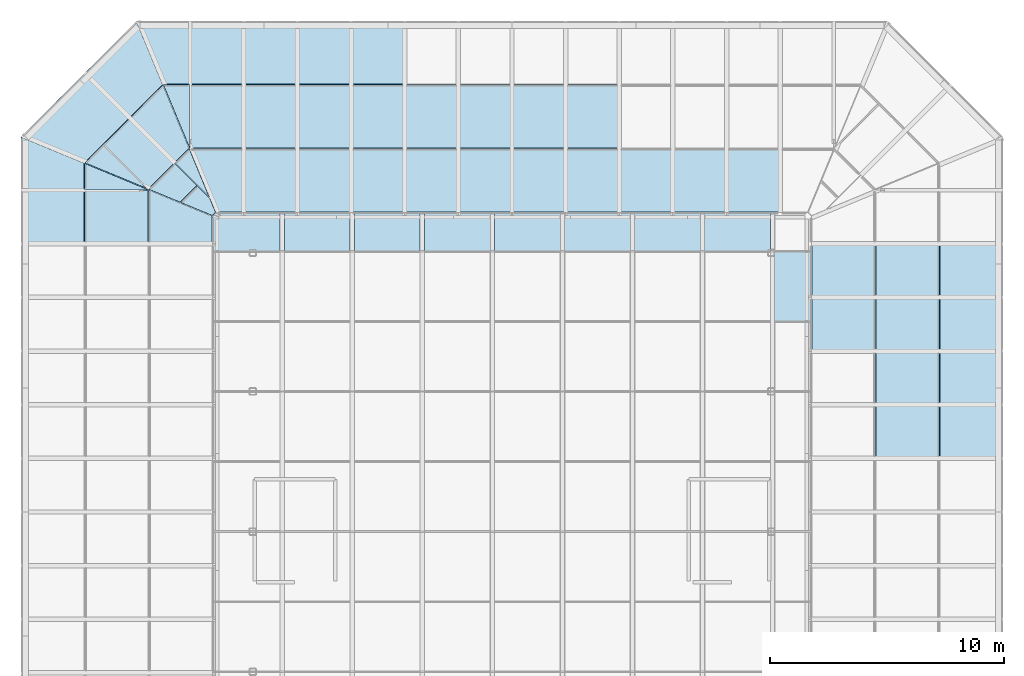
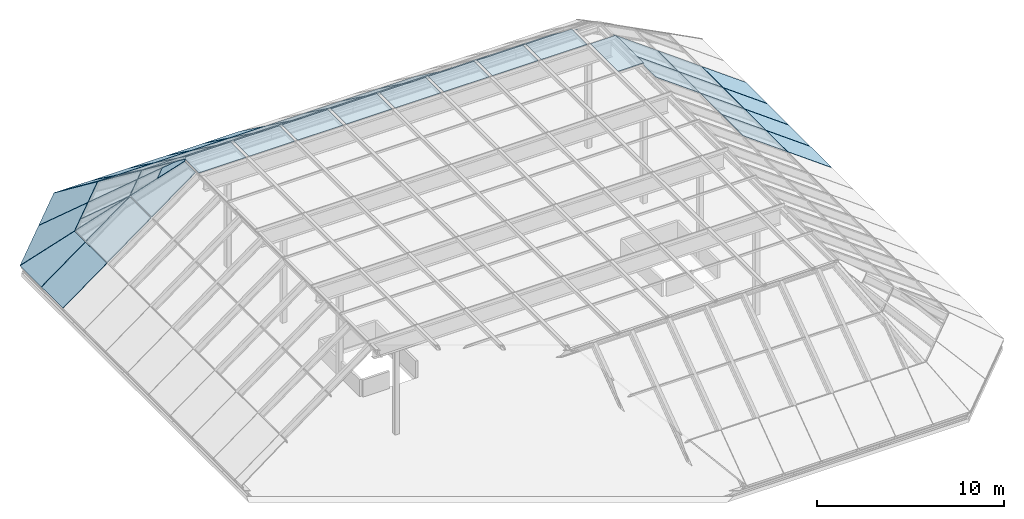
# One storey, part 14 of 15: 57 plates, 5 elements without a shape of their own.
"""IFC4 building model written with IfcOpenShell, lengths in metres."""

from ifc_helpers import new_model, si_unit, direction, frame, origin, place, context, subcontext, project, spatial, polyline, outline, extrude, material, layer, layer_set, constituent, constituent_set, type_object, element, aggregate, save


model = new_model("IFC4")

# Units and contexts
model_context = context("Model", 3, precision=1e-05, world=origin(), true_north=direction((0.0, 1.0)))
body_context = subcontext(model_context, "Body", "Model", "MODEL_VIEW")
ifc_project = project(units=[si_unit("LENGTHUNIT", "METRE"), si_unit("AREAUNIT", "SQUARE_METRE"), si_unit("VOLUMEUNIT", "CUBIC_METRE"), si_unit("PLANEANGLEUNIT", "RADIAN"), si_unit("MASSUNIT", "GRAM", prefix="KILO")], contexts=[model_context])

# Site, building, storey
site_placement = place(None, origin())
site = spatial("IfcSite", under=ifc_project, at=site_placement, CompositionType="ELEMENT")
building_placement = place(site_placement, origin())
building = spatial("IfcBuilding", under=site, at=building_placement, Name="Quoin Convention Tower", CompositionType="ELEMENT")
storey_placement = place(building_placement, frame((0.0, 0.0, 273.699951171875)))
storey = spatial("IfcBuildingStorey", under=building, at=storey_placement, Name="Roof", CompositionType="ELEMENT", Elevation=273.699951171875)

# Curtain wall, plates
ifc_material_1 = material(Name="Aluminium", Category="aluminium")
ifc_constituent_1 = constituent(ifc_material_1, Name="Frame")
ifc_material_2 = material(Name="Insulated glass", Category="glass")
ifc_constituent_2 = constituent(ifc_material_2, Name="Glazing")
ifc_constituent_set = constituent_set(constituents=[ifc_constituent_1, ifc_constituent_2], Name="Aluminium")
curtain_wall_type = type_object("IfcCurtainWallType", Name="Lantern roof system", PredefinedType="NOTDEFINED", material=ifc_constituent_set)
curtain_wall_1_placement = place(storey_placement, origin())
curtain_wall_1 = element("IfcCurtainWall", 1, at=curtain_wall_1_placement, inside=storey, type_object=curtain_wall_type, Name="crn-LNR-F77290_44673", PredefinedType="NOTDEFINED")
ifc_layer = layer(ifc_material_2, 0.028076171875)
ifc_layer_set = layer_set([ifc_layer], Name="Insulated glass")
plate_type = type_object("IfcPlateType", Name="Lantern roof glazing unit 28", PredefinedType="CURTAIN_PANEL", material=ifc_layer_set)
plate_1_placement = place(storey_placement, frame((74.56884765625, 63.061767578125, 2.466552734375), z_axis=(0.590508839017, 0.0, 0.807031171048), x_axis=(0.0, 1.0, 0.0)))
plate_1 = element("IfcPlate", 2, at=plate_1_placement, type_object=plate_type, Name="CW6 glazing unit", PredefinedType="CURTAIN_PANEL", context=body_context, shape_type="SweptSolid", body=[
    extrude(outline(polyline([(0.0, 0.0), (2.266845703125, 0.0), (2.266845703125, -3.3567283051575907), (0.0, -3.3567283051575907), (0.0, 0.0)])), origin(), (0.0, 0.0, -1.0), 0.028076171875),
])
plate_2_placement = place(storey_placement, frame((74.56884765625, 65.3583984375, 2.466552734375), z_axis=(0.590508839017, 0.0, 0.807031171048), x_axis=(0.0, 1.0, 0.0)))
plate_2 = element("IfcPlate", 3, at=plate_2_placement, type_object=plate_type, Name="CW6 glazing unit", PredefinedType="CURTAIN_PANEL", context=body_context, shape_type="SweptSolid", body=[
    extrude(outline(polyline([(0.0, 0.0), (2.266845703125, 0.0), (2.266845703125, -3.3567283051575907), (0.0, -3.3567283051575907), (0.0, 0.0)])), origin(), (0.0, 0.0, -1.0), 0.028076171875),
])
plate_3_placement = place(storey_placement, frame((74.56884765625, 67.6552734375, 2.466552734375), z_axis=(0.590508839017, 0.0, 0.807031171048), x_axis=(0.0, 1.0, 0.0)))
plate_3 = element("IfcPlate", 4, at=plate_3_placement, type_object=plate_type, Name="CW6 glazing unit", PredefinedType="CURTAIN_PANEL", context=body_context, shape_type="SweptSolid", body=[
    extrude(outline(polyline([(0.0, 0.0), (2.266845703125, 0.0), (2.266845703125, -3.3567283051575907), (0.0, -3.3567283051575907), (0.0, 0.0)])), origin(), (0.0, 0.0, -1.0), 0.028076171875),
])
plate_4_placement = place(storey_placement, frame((74.56884765625, 69.951904296875, 2.466552734375), z_axis=(0.590508839017, 0.0, 0.807031171048), x_axis=(0.0, 1.0, 0.0)))
plate_4 = element("IfcPlate", 5, at=plate_4_placement, type_object=plate_type, Name="CW6 glazing unit", PredefinedType="CURTAIN_PANEL", context=body_context, shape_type="SweptSolid", body=[
    extrude(outline(polyline([(0.0, 0.0), (2.266845703125, 0.0), (2.266845703125, -3.3567283051575907), (0.0, -3.3567283051575907), (0.0, 0.0)])), origin(), (0.0, 0.0, -1.0), 0.028076171875),
])
plate_5_placement = place(storey_placement, frame((74.544677734375, 63.061767578125, 2.484375), z_axis=(0.590474179548, 0.0, 0.807056530416), x_axis=(-0.807056530416, 0.0, 0.590474179548)))
plate_5 = element("IfcPlate", 6, at=plate_5_placement, type_object=plate_type, Name="CW6 glazing unit", PredefinedType="CURTAIN_PANEL", context=body_context, shape_type="SweptSolid", body=[
    extrude(outline(polyline([(0.0, 0.0), (3.356925337347801, 0.0), (3.356925337347801, -2.266845703125), (0.0, -2.266845703125), (0.0, 0.0)])), origin(), (0.0, 0.0, -1.0), 0.028076171875),
])
plate_6_placement = place(storey_placement, frame((74.544677734375, 65.3583984375, 2.484375), z_axis=(0.590474179548, 0.0, 0.807056530416), x_axis=(-0.807056530416, 0.0, 0.590474179548)))
plate_6 = element("IfcPlate", 7, at=plate_6_placement, type_object=plate_type, Name="CW6 glazing unit", PredefinedType="CURTAIN_PANEL", context=body_context, shape_type="SweptSolid", body=[
    extrude(outline(polyline([(0.0, 0.0), (3.356925337347801, 0.0), (3.356925337347801, -2.266845703125), (0.0, -2.266845703125), (0.0, 0.0)])), origin(), (0.0, 0.0, -1.0), 0.028076171875),
])
plate_7_placement = place(storey_placement, frame((74.544677734375, 67.6552734375, 2.484375), z_axis=(0.590474179548, 0.0, 0.807056530416), x_axis=(-0.807056530416, 0.0, 0.590474179548)))
plate_7 = element("IfcPlate", 8, at=plate_7_placement, type_object=plate_type, Name="CW6 glazing unit", PredefinedType="CURTAIN_PANEL", context=body_context, shape_type="SweptSolid", body=[
    extrude(outline(polyline([(0.0, 0.0), (3.356925337347801, 0.0), (3.356925337347801, -2.266845703125), (0.0, -2.266845703125), (0.0, 0.0)])), origin(), (0.0, 0.0, -1.0), 0.028076171875),
])
plate_8_placement = place(storey_placement, frame((74.544677734375, 69.951904296875, 2.484375), z_axis=(0.590474179548, 0.0, 0.807056530416), x_axis=(-0.807056530416, 0.0, 0.590474179548)))
plate_8 = element("IfcPlate", 9, at=plate_8_placement, type_object=plate_type, Name="CW6 glazing unit", PredefinedType="CURTAIN_PANEL", context=body_context, shape_type="SweptSolid", body=[
    extrude(outline(polyline([(0.0, 0.0), (3.356925337347801, 0.0), (3.356925337347801, -2.266845703125), (0.0, -2.266845703125), (0.0, 0.0)])), origin(), (0.0, 0.0, -1.0), 0.028076171875),
])
plate_9_placement = place(storey_placement, frame((71.811279296875, 69.922119140625, 4.484375), z_axis=(0.590474179548, 0.0, 0.807056530416), x_axis=(0.0, -1.0, 0.0)))
plate_9 = element("IfcPlate", 10, at=plate_9_placement, type_object=plate_type, Name="CW6 glazing unit", PredefinedType="CURTAIN_PANEL", context=body_context, shape_type="SweptSolid", body=[
    extrude(outline(polyline([(0.0, 0.0), (2.266845703125, 0.0), (2.266845703125, -3.356925337347801), (0.0, -3.356925337347801), (0.0, 0.0)])), origin(), (0.0, 0.0, -1.0), 0.028076171875),
])
plate_10_placement = place(storey_placement, frame((71.811279296875, 72.21875, 4.484375), z_axis=(0.590474179548, 0.0, 0.807056530416), x_axis=(0.0, -1.0, 0.0)))
plate_10 = element("IfcPlate", 11, at=plate_10_placement, type_object=plate_type, Name="CW6 glazing unit", PredefinedType="CURTAIN_PANEL", context=body_context, shape_type="SweptSolid", body=[
    extrude(outline(polyline([(0.0, 0.0), (2.266845703125, 0.0), (2.266845703125, -3.356925337347801), (0.0, -3.356925337347801), (0.0, 0.0)])), origin(), (0.0, 0.0, -1.0), 0.028076171875),
])
aggregate(curtain_wall_1, [plate_1, plate_2, plate_3, plate_4, plate_5, plate_6, plate_7, plate_8, plate_9, plate_10])

curtain_wall_2_placement = place(storey_placement, origin())
curtain_wall_2 = element("IfcCurtainWall", 12, at=curtain_wall_2_placement, inside=storey, type_object=curtain_wall_type, Name="crn-LNR-F72327_81790", PredefinedType="NOTDEFINED")
plate_11_placement = place(storey_placement, frame((51.6416015625, 79.06884765625, 2.466552734375), z_axis=(0.0, 0.590508839017, 0.807031171048), x_axis=(-1.0, 0.0, 0.0)))
plate_11 = element("IfcPlate", 13, at=plate_11_placement, type_object=plate_type, Name="CW6 glazing unit", PredefinedType="CURTAIN_PANEL", context=body_context, shape_type="SweptSolid", body=[
    extrude(outline(polyline([(0.0, 0.0), (2.266845703125, 0.0), (2.266845703125, -3.3567283051575907), (0.0, -3.3567283051575907), (0.0, 0.0)])), origin(), (0.0, 0.0, -1.0), 0.028076171875),
])
plate_12_placement = place(storey_placement, frame((49.3447265625, 79.06884765625, 2.466552734375), z_axis=(0.0, 0.590508839017, 0.807031171048), x_axis=(-1.0, 0.0, 0.0)))
plate_12 = element("IfcPlate", 14, at=plate_12_placement, type_object=plate_type, Name="CW6 glazing unit", PredefinedType="CURTAIN_PANEL", context=body_context, shape_type="SweptSolid", body=[
    extrude(outline(polyline([(0.0, 0.0), (2.266845703125, 0.0), (2.266845703125, -3.3567283051575907), (0.0, -3.3567283051575907), (0.0, 0.0)])), origin(), (0.0, 0.0, -1.0), 0.028076171875),
])
plate_13_placement = place(storey_placement, frame((47.048095703125, 79.06884765625, 2.466552734375), z_axis=(0.0, 0.590508839017, 0.807031171048), x_axis=(-1.0, 0.0, 0.0)))
plate_13 = element("IfcPlate", 15, at=plate_13_placement, type_object=plate_type, Name="CW6 glazing unit", PredefinedType="CURTAIN_PANEL", context=body_context, shape_type="SweptSolid", body=[
    extrude(outline(polyline([(0.0, 0.0), (2.266845703125, 0.0), (2.266845703125, -3.3567283051575907), (0.0, -3.3567283051575907), (0.0, 0.0)])), origin(), (0.0, 0.0, -1.0), 0.028076171875),
])
plate_14_placement = place(storey_placement, frame((44.751220703125, 79.06884765625, 2.466552734375), z_axis=(0.0, 0.590508839017, 0.807031171048), x_axis=(-1.0, 0.0, 0.0)))
plate_14 = element("IfcPlate", 16, at=plate_14_placement, type_object=plate_type, Name="CW6 glazing unit", PredefinedType="CURTAIN_PANEL", context=body_context, shape_type="SweptSolid", body=[
    extrude(outline(polyline([(0.0, 0.0), (2.2666015625, 0.0), (2.2666015625, -3.3567283051575902), (0.0, -3.3567283051575902), (0.0, 0.0)])), origin(), (0.0, 0.0, -1.0), 0.028076171875),
])
plate_15_placement = place(storey_placement, frame((42.45458984375, 79.06884765625, 2.466552734375), z_axis=(0.0, 0.590508839017, 0.807031171048), x_axis=(-1.0, 0.0, 0.0)))
plate_15 = element("IfcPlate", 17, at=plate_15_placement, type_object=plate_type, Name="CW6 glazing unit", PredefinedType="CURTAIN_PANEL", context=body_context, shape_type="SweptSolid", body=[
    extrude(outline(polyline([(0.0, 0.0), (1.138671875, 0.0), (2.260986328125, -3.3567283051575907), (0.0, -3.3567283051575907), (0.0, 0.0)])), origin(), (0.0, 0.0, -1.0), 0.028076171875),
])
plate_16_placement = place(storey_placement, frame((60.82861328125, 79.044677734375, 2.484375), z_axis=(0.0, 0.590474179548, 0.807056530416), x_axis=(0.0, -0.807056530416, 0.590474179548)))
plate_16 = element("IfcPlate", 18, at=plate_16_placement, type_object=plate_type, Name="CW6 glazing unit", PredefinedType="CURTAIN_PANEL", context=body_context, shape_type="SweptSolid", body=[
    extrude(outline(polyline([(0.0, 0.0), (3.356925337347801, 0.0), (3.356925337347801, -2.266845703125), (0.0, -2.266845703125), (0.0, 0.0)])), origin(), (0.0, 0.0, -1.0), 0.028076171875),
])
plate_17_placement = place(storey_placement, frame((58.53173828125, 79.044677734375, 2.484375), z_axis=(0.0, 0.590474179548, 0.807056530416), x_axis=(0.0, -0.807056530416, 0.590474179548)))
plate_17 = element("IfcPlate", 19, at=plate_17_placement, type_object=plate_type, Name="CW6 glazing unit", PredefinedType="CURTAIN_PANEL", context=body_context, shape_type="SweptSolid", body=[
    extrude(outline(polyline([(0.0, 0.0), (3.356925337347801, 0.0), (3.356925337347801, -2.266845703125), (0.0, -2.266845703125), (0.0, 0.0)])), origin(), (0.0, 0.0, -1.0), 0.028076171875),
])
plate_18_placement = place(storey_placement, frame((56.235107421875, 79.044677734375, 2.484375), z_axis=(0.0, 0.590474179548, 0.807056530416), x_axis=(0.0, -0.807056530416, 0.590474179548)))
plate_18 = element("IfcPlate", 20, at=plate_18_placement, type_object=plate_type, Name="CW6 glazing unit", PredefinedType="CURTAIN_PANEL", context=body_context, shape_type="SweptSolid", body=[
    extrude(outline(polyline([(0.0, 0.0), (3.356925337347801, 0.0), (3.356925337347801, -2.266845703125), (0.0, -2.266845703125), (0.0, 0.0)])), origin(), (0.0, 0.0, -1.0), 0.028076171875),
])
plate_19_placement = place(storey_placement, frame((53.938232421875, 79.044677734375, 2.484375), z_axis=(0.0, 0.590474179548, 0.807056530416), x_axis=(0.0, -0.807056530416, 0.590474179548)))
plate_19 = element("IfcPlate", 21, at=plate_19_placement, type_object=plate_type, Name="CW6 glazing unit", PredefinedType="CURTAIN_PANEL", context=body_context, shape_type="SweptSolid", body=[
    extrude(outline(polyline([(0.0, 0.0), (3.356925337347801, 0.0), (3.356925337347801, -2.266845703125), (0.0, -2.266845703125), (0.0, 0.0)])), origin(), (0.0, 0.0, -1.0), 0.028076171875),
])
plate_20_placement = place(storey_placement, frame((51.6416015625, 79.044677734375, 2.484375), z_axis=(0.0, 0.590474179548, 0.807056530416), x_axis=(0.0, -0.807056530416, 0.590474179548)))
plate_20 = element("IfcPlate", 22, at=plate_20_placement, type_object=plate_type, Name="CW6 glazing unit", PredefinedType="CURTAIN_PANEL", context=body_context, shape_type="SweptSolid", body=[
    extrude(outline(polyline([(0.0, 0.0), (3.356925337347801, 0.0), (3.356925337347801, -2.266845703125), (0.0, -2.266845703125), (0.0, 0.0)])), origin(), (0.0, 0.0, -1.0), 0.028076171875),
])
plate_21_placement = place(storey_placement, frame((49.3447265625, 79.044677734375, 2.484375), z_axis=(0.0, 0.590474179548, 0.807056530416), x_axis=(0.0, -0.807056530416, 0.590474179548)))
plate_21 = element("IfcPlate", 23, at=plate_21_placement, type_object=plate_type, Name="CW6 glazing unit", PredefinedType="CURTAIN_PANEL", context=body_context, shape_type="SweptSolid", body=[
    extrude(outline(polyline([(0.0, 0.0), (3.356925337347801, 0.0), (3.356925337347801, -2.266845703125), (0.0, -2.266845703125), (0.0, 0.0)])), origin(), (0.0, 0.0, -1.0), 0.028076171875),
])
plate_22_placement = place(storey_placement, frame((47.048095703125, 79.044677734375, 2.484375), z_axis=(0.0, 0.590474179548, 0.807056530416), x_axis=(0.0, -0.807056530416, 0.590474179548)))
plate_22 = element("IfcPlate", 24, at=plate_22_placement, type_object=plate_type, Name="CW6 glazing unit", PredefinedType="CURTAIN_PANEL", context=body_context, shape_type="SweptSolid", body=[
    extrude(outline(polyline([(0.0, 0.0), (3.356925337347801, 0.0), (3.356925337347801, -2.266845703125), (0.0, -2.266845703125), (0.0, 0.0)])), origin(), (0.0, 0.0, -1.0), 0.028076171875),
])
plate_23_placement = place(storey_placement, frame((44.751220703125, 79.044677734375, 2.484375), z_axis=(0.0, 0.590474179548, 0.807056530416), x_axis=(0.0, -0.807056530416, 0.590474179548)))
plate_23 = element("IfcPlate", 25, at=plate_23_placement, type_object=plate_type, Name="CW6 glazing unit", PredefinedType="CURTAIN_PANEL", context=body_context, shape_type="SweptSolid", body=[
    extrude(outline(polyline([(0.0, 0.0), (3.356925337347801, 0.0), (3.356925337347801, -2.2666015625), (0.0, -2.2666015625), (0.0, 0.0)])), origin(), (0.0, 0.0, -1.0), 0.028076171875),
])
plate_24_placement = place(storey_placement, frame((42.45458984375, 79.044677734375, 2.484375), z_axis=(0.0, 0.590474179548, 0.807056530416), x_axis=(0.0, -0.807056530416, 0.590474179548)))
plate_24 = element("IfcPlate", 26, at=plate_24_placement, type_object=plate_type, Name="CW6 glazing unit", PredefinedType="CURTAIN_PANEL", context=body_context, shape_type="SweptSolid", body=[
    extrude(outline(polyline([(0.0, 0.0), (3.356925337347801, 0.0), (3.356925337347801, -0.006591796875), (0.0, -1.12890625), (0.0, 0.0)])), origin(), (0.0, 0.0, -1.0), 0.028076171875),
])
plate_25_placement = place(storey_placement, frame((65.451904296875, 76.311279296875, 4.484375), z_axis=(0.0, 0.590474179548, 0.807056530416), x_axis=(1.0, 0.0, 0.0)))
plate_25 = element("IfcPlate", 27, at=plate_25_placement, type_object=plate_type, Name="CW6 glazing unit", PredefinedType="CURTAIN_PANEL", context=body_context, shape_type="SweptSolid", body=[
    extrude(outline(polyline([(0.0, 0.0), (2.266845703125, 0.0), (2.266845703125, -3.356925337347801), (0.0, -3.356925337347801), (0.0, 0.0)])), origin(), (0.0, 0.0, -1.0), 0.028076171875),
])
plate_26_placement = place(storey_placement, frame((63.1552734375, 76.311279296875, 4.484375), z_axis=(0.0, 0.590474179548, 0.807056530416), x_axis=(1.0, 0.0, 0.0)))
plate_26 = element("IfcPlate", 28, at=plate_26_placement, type_object=plate_type, Name="CW6 glazing unit", PredefinedType="CURTAIN_PANEL", context=body_context, shape_type="SweptSolid", body=[
    extrude(outline(polyline([(0.0, 0.0), (2.266845703125, 0.0), (2.266845703125, -3.356925337347801), (0.0, -3.356925337347801), (0.0, 0.0)])), origin(), (0.0, 0.0, -1.0), 0.028076171875),
])
plate_27_placement = place(storey_placement, frame((60.8583984375, 76.311279296875, 4.484375), z_axis=(0.0, 0.590474179548, 0.807056530416), x_axis=(1.0, 0.0, 0.0)))
plate_27 = element("IfcPlate", 29, at=plate_27_placement, type_object=plate_type, Name="CW6 glazing unit", PredefinedType="CURTAIN_PANEL", context=body_context, shape_type="SweptSolid", body=[
    extrude(outline(polyline([(0.0, 0.0), (2.266845703125, 0.0), (2.266845703125, -3.356925337347801), (0.0, -3.356925337347801), (0.0, 0.0)])), origin(), (0.0, 0.0, -1.0), 0.028076171875),
])
plate_28_placement = place(storey_placement, frame((58.561767578125, 76.311279296875, 4.484375), z_axis=(0.0, 0.590474179548, 0.807056530416), x_axis=(1.0, 0.0, 0.0)))
plate_28 = element("IfcPlate", 30, at=plate_28_placement, type_object=plate_type, Name="CW6 glazing unit", PredefinedType="CURTAIN_PANEL", context=body_context, shape_type="SweptSolid", body=[
    extrude(outline(polyline([(0.0, 0.0), (2.266845703125, 0.0), (2.266845703125, -3.356925337347801), (0.0, -3.356925337347801), (0.0, 0.0)])), origin(), (0.0, 0.0, -1.0), 0.028076171875),
])
plate_29_placement = place(storey_placement, frame((56.264892578125, 76.311279296875, 4.484375), z_axis=(0.0, 0.590474179548, 0.807056530416), x_axis=(1.0, 0.0, 0.0)))
plate_29 = element("IfcPlate", 31, at=plate_29_placement, type_object=plate_type, Name="CW6 glazing unit", PredefinedType="CURTAIN_PANEL", context=body_context, shape_type="SweptSolid", body=[
    extrude(outline(polyline([(0.0, 0.0), (2.266845703125, 0.0), (2.266845703125, -3.356925337347801), (0.0, -3.356925337347801), (0.0, 0.0)])), origin(), (0.0, 0.0, -1.0), 0.028076171875),
])
plate_30_placement = place(storey_placement, frame((53.96826171875, 76.311279296875, 4.484375), z_axis=(0.0, 0.590474179548, 0.807056530416), x_axis=(1.0, 0.0, 0.0)))
plate_30 = element("IfcPlate", 32, at=plate_30_placement, type_object=plate_type, Name="CW6 glazing unit", PredefinedType="CURTAIN_PANEL", context=body_context, shape_type="SweptSolid", body=[
    extrude(outline(polyline([(0.0, 0.0), (2.266845703125, 0.0), (2.266845703125, -3.356925337347801), (0.0, -3.356925337347801), (0.0, 0.0)])), origin(), (0.0, 0.0, -1.0), 0.028076171875),
])
plate_31_placement = place(storey_placement, frame((51.67138671875, 76.311279296875, 4.484375), z_axis=(0.0, 0.590474179548, 0.807056530416), x_axis=(1.0, 0.0, 0.0)))
plate_31 = element("IfcPlate", 33, at=plate_31_placement, type_object=plate_type, Name="CW6 glazing unit", PredefinedType="CURTAIN_PANEL", context=body_context, shape_type="SweptSolid", body=[
    extrude(outline(polyline([(0.0, 0.0), (2.266845703125, 0.0), (2.266845703125, -3.356925337347801), (0.0, -3.356925337347801), (0.0, 0.0)])), origin(), (0.0, 0.0, -1.0), 0.028076171875),
])
plate_32_placement = place(storey_placement, frame((49.374755859375, 76.311279296875, 4.484375), z_axis=(0.0, 0.590474179548, 0.807056530416), x_axis=(1.0, 0.0, 0.0)))
plate_32 = element("IfcPlate", 34, at=plate_32_placement, type_object=plate_type, Name="CW6 glazing unit", PredefinedType="CURTAIN_PANEL", context=body_context, shape_type="SweptSolid", body=[
    extrude(outline(polyline([(0.0, 0.0), (2.266845703125, 0.0), (2.266845703125, -3.356925337347801), (0.0, -3.356925337347801), (0.0, 0.0)])), origin(), (0.0, 0.0, -1.0), 0.028076171875),
])
plate_33_placement = place(storey_placement, frame((47.077880859375, 76.311279296875, 4.484375), z_axis=(0.0, 0.590474179548, 0.807056530416), x_axis=(1.0, 0.0, 0.0)))
plate_33 = element("IfcPlate", 35, at=plate_33_placement, type_object=plate_type, Name="CW6 glazing unit", PredefinedType="CURTAIN_PANEL", context=body_context, shape_type="SweptSolid", body=[
    extrude(outline(polyline([(0.0, 0.0), (2.266845703125, 0.0), (2.266845703125, -3.356925337347801), (0.0, -3.356925337347801), (0.0, 0.0)])), origin(), (0.0, 0.0, -1.0), 0.028076171875),
])
plate_34_placement = place(storey_placement, frame((44.78125, 76.311279296875, 4.484375), z_axis=(0.0, 0.590474179548, 0.807056530416), x_axis=(1.0, 0.0, 0.0)))
plate_34 = element("IfcPlate", 36, at=plate_34_placement, type_object=plate_type, Name="CW6 glazing unit", PredefinedType="CURTAIN_PANEL", context=body_context, shape_type="SweptSolid", body=[
    extrude(outline(polyline([(0.0, 0.0), (2.266845703125, 0.0), (2.266845703125, -3.356925337347801), (0.0, -3.356925337347801), (0.0, 0.0)])), origin(), (0.0, 0.0, -1.0), 0.028076171875),
])
plate_35_placement = place(storey_placement, frame((42.484619140625, 76.311279296875, 4.484375), z_axis=(-2.3954968e-05, 0.590467870456, 0.807061146002), x_axis=(0.999999999713, 1.4144639e-05, 1.9333124e-05)))
plate_35 = element("IfcPlate", 37, at=plate_35_placement, type_object=plate_type, Name="CW6 glazing unit", PredefinedType="CURTAIN_PANEL", context=body_context, shape_type="SweptSolid", body=[
    extrude(outline(polyline([(0.0, 0.0), (2.266601561849666, 0.0), (2.2666015624782845, -3.356925337245233), (1.0954589846893092, -3.356925337245233), (-1.972716709108947e-09, -0.07949875796371716), (0.0, 0.0)])), origin(), (0.0, 0.0, -1.0), 0.028076171875),
])
aggregate(curtain_wall_2, [plate_11, plate_12, plate_13, plate_14, plate_15, plate_16, plate_17, plate_18, plate_19, plate_20, plate_21, plate_22, plate_23, plate_24, plate_25, plate_26, plate_27, plate_28, plate_29, plate_30, plate_31, plate_32, plate_33, plate_34, plate_35])

curtain_wall_3_placement = place(storey_placement, origin())
curtain_wall_3 = element("IfcCurtainWall", 38, at=curtain_wall_3_placement, inside=storey, type_object=curtain_wall_type, Name="crn-LNR-F40173_81790", PredefinedType="NOTDEFINED")
plate_36_placement = place(storey_placement, frame((39.880126953125, 77.64892578125, 2.466552734375), z_axis=(-0.417537444623, 0.417537444623, 0.807047064721), x_axis=(-0.570632086924, 0.570704815969, -0.590487116204)))
plate_36 = element("IfcPlate", 39, at=plate_36_placement, type_object=plate_type, Name="CW6 glazing unit", PredefinedType="CURTAIN_PANEL", context=body_context, shape_type="SweptSolid", body=[
    extrude(outline(polyline([(0.0, 0.0), (3.356851792327199, -5.2753211954997825e-17), (3.357011934723851, -3.1139629155703807), (0.00010245278065001973, -1.9921904892827473), (0.0, 0.0)])), origin(), (0.0, 0.0, -1.0), 0.028076171875),
])
plate_37_placement = place(storey_placement, frame((39.85888671875, 77.627685546875, 2.466552734375), z_axis=(-0.417537444623, 0.417537444623, 0.807047064721), x_axis=(-0.707106781187, -0.707106781187, 0.0)))
plate_37 = element("IfcPlate", 40, at=plate_37_placement, type_object=plate_type, Name="CW6 glazing unit", PredefinedType="CURTAIN_PANEL", context=body_context, shape_type="SweptSolid", body=[
    extrude(outline(polyline([(0.0, 0.0), (2.710345816559765, 0.0), (3.832290877822307, -3.356851787888171), (-0.0001726334915006511, -3.356851787888171), (0.0, 0.0)])), origin(), (0.0, 0.0, -1.0), 0.028076171875),
])
plate_38_placement = place(storey_placement, frame((41.81298828125, 75.71630859375, 4.466552734375), z_axis=(-0.417537444623, 0.417537444623, 0.807047064721), x_axis=(-0.570704815969, 0.570632086924, -0.590487116204)))
plate_38 = element("IfcPlate", 41, at=plate_38_placement, type_object=plate_type, Name="CW6 glazing unit", PredefinedType="CURTAIN_PANEL", context=body_context, shape_type="SweptSolid", body=[
    extrude(outline(polyline([(0.0, 0.0), (3.356851792327199, -1.6929139297003348e-16), (3.356749854473869, -1.9821777467889525), (-4.42127250985247e-05, -0.8597147865362291), (0.0, 0.0)])), origin(), (0.0, 0.0, -1.0), 0.028076171875),
])
plate_39_placement = place(storey_placement, frame((38.76318359375, 76.497802734375, 2.484375), z_axis=(-0.417523210774, 0.417569006893, 0.80703809882), x_axis=(0.707170814424, 0.707042741667, 2.6136976e-05)))
plate_39 = element("IfcPlate", 42, at=plate_39_placement, type_object=plate_type, Name="CW6 glazing unit", PredefinedType="CURTAIN_PANEL", context=body_context, shape_type="SweptSolid", body=[
    extrude(outline(polyline([(0.0, 0.0), (1.5738995506534303, -1.1102230246251565e-16), (1.5741966856522538, -3.3567124525452634), (0.00012451714197131268, -3.356851789630812), (0.0, 0.0)])), origin(), (0.0, 0.0, -1.0), 0.028076171875),
])
plate_40_placement = place(storey_placement, frame((37.966552734375, 75.701171875, 2.484375), z_axis=(-0.417563792954, 0.417563792954, 0.807019800022), x_axis=(0.707106781187, 0.707106781187, 0.0)))
plate_40 = element("IfcPlate", 43, at=plate_40_placement, type_object=plate_type, Name="CW6 glazing unit", PredefinedType="CURTAIN_PANEL", context=body_context, shape_type="SweptSolid", body=[
    extrude(outline(polyline([(0.0, 0.0), (1.0965679380119506, 0.0), (1.0965679380119506, -3.279741948853893), (0.0, 0.0)])), origin(), (0.0, 0.0, -1.0), 0.028076171875),
])
plate_41_placement = place(storey_placement, frame((41.830078125, 75.69921875, 4.484375), z_axis=(-0.417542917757, 0.417542917757, 0.807041401455), x_axis=(0.707106781187, 0.707106781187, 0.0)))
plate_41 = element("IfcPlate", 44, at=plate_41_placement, type_object=plate_type, Name="CW6 glazing unit", PredefinedType="CURTAIN_PANEL", context=body_context, shape_type="SweptSolid", body=[
    extrude(outline(polyline([(0.0, 0.0), (0.8497020451660613, 0.0), (-0.0001726334915006511, -2.542309530573094), (0.0, 0.0)])), origin(), (0.0, 0.0, -1.0), 0.028076171875),
])
plate_42_placement = place(storey_placement, frame((40.699951171875, 74.569091796875, 4.484375), z_axis=(-0.417542378551, 0.417486512565, 0.807070860544), x_axis=(0.707090287471, 0.707123273799, 3.1881896e-05)))
plate_42 = element("IfcPlate", 45, at=plate_42_placement, type_object=plate_type, Name="CW6 glazing unit", PredefinedType="CURTAIN_PANEL", context=body_context, shape_type="SweptSolid", body=[
    extrude(outline(polyline([(0.0, 0.0), (1.5682026355680565, 0.0), (1.5682026380152434, -1.6633416873172657), (0.5560524741101777, -1.6634810147779184), (0.0, 0.0)])), origin(), (0.0, 0.0, -1.0), 0.028076171875),
])
plate_43_placement = place(storey_placement, frame((42.066650390625, 74.0029296875, 5.484375), z_axis=(-0.417578956169, 0.417448451267, 0.807071623773), x_axis=(0.706988900109, 0.707224642574, -7.613711e-06)))
plate_43 = element("IfcPlate", 46, at=plate_43_placement, type_object=plate_type, Name="CW6 glazing unit", PredefinedType="CURTAIN_PANEL", context=body_context, shape_type="SweptSolid", body=[
    extrude(outline(polyline([(0.0, 0.0), (1.0021374329858963, 5.551115123125783e-17), (1.0020069393110802, -0.9385983617875202), (0.7593561028419844, -1.663447276913725), (0.5559938526855857, -1.6634190033734484), (0.0, 0.0)])), origin(), (0.0, 0.0, -1.0), 0.028076171875),
])
aggregate(curtain_wall_3, [plate_36, plate_37, plate_38, plate_39, plate_40, plate_41, plate_42, plate_43])

curtain_wall_4_placement = place(storey_placement, origin())
curtain_wall_4 = element("IfcCurtainWall", 47, at=curtain_wall_4_placement, inside=storey, type_object=curtain_wall_type, Name="crn-LNR-F35210_76827", PredefinedType="NOTDEFINED")
plate_44_placement = place(storey_placement, frame((37.93115234375, 74.54541015625, 2.466552734375), z_axis=(-0.590508839017, 0.0, 0.807031171048), x_axis=(-0.807031171048, 0.0, -0.590508839017)))
plate_44 = element("IfcPlate", 48, at=plate_44_placement, type_object=plate_type, Name="CW6 glazing unit", PredefinedType="CURTAIN_PANEL", context=body_context, shape_type="SweptSolid", body=[
    extrude(outline(polyline([(0.0, 0.0), (3.3567283051575907, 0.0), (3.3567283051575907, -2.260986328125), (0.0, -1.138671875), (0.0, 0.0)])), origin(), (0.0, 0.0, -1.0), 0.028076171875),
])
plate_45_placement = place(storey_placement, frame((37.93115234375, 74.515380859375, 2.466552734375), z_axis=(-0.590508839017, 0.0, 0.807031171048), x_axis=(0.0, -1.0, 0.0)))
plate_45 = element("IfcPlate", 49, at=plate_45_placement, type_object=plate_type, Name="CW6 glazing unit", PredefinedType="CURTAIN_PANEL", context=body_context, shape_type="SweptSolid", body=[
    extrude(outline(polyline([(0.0, 0.0), (2.2666015625, 0.0), (2.2666015625, -3.3567283051575902), (0.0, -3.3567283051575902), (0.0, 0.0)])), origin(), (0.0, 0.0, -1.0), 0.028076171875),
])
plate_46_placement = place(storey_placement, frame((40.66455078125, 74.54541015625, 4.466552734375), z_axis=(-0.590474179548, 0.0, 0.807056530416), x_axis=(-0.807056530416, 0.0, -0.590474179548)))
plate_46 = element("IfcPlate", 50, at=plate_46_placement, type_object=plate_type, Name="CW6 glazing unit", PredefinedType="CURTAIN_PANEL", context=body_context, shape_type="SweptSolid", body=[
    extrude(outline(polyline([(0.0, 0.0), (3.356925337347801, 0.0), (3.356925337347801, -1.12890625), (0.0, -0.006591796875), (0.0, 0.0)])), origin(), (0.0, 0.0, -1.0), 0.028076171875),
])
plate_47_placement = place(storey_placement, frame((37.955322265625, 74.515380859375, 2.484375), z_axis=(-0.590474179548, 0.0, 0.807056530416), x_axis=(0.807056530416, 0.0, 0.590474179548)))
plate_47 = element("IfcPlate", 51, at=plate_47_placement, type_object=plate_type, Name="CW6 glazing unit", PredefinedType="CURTAIN_PANEL", context=body_context, shape_type="SweptSolid", body=[
    extrude(outline(polyline([(0.0, 0.0), (3.356925337347801, 0.0), (3.356925337347801, -2.2666015625), (0.0, -2.2666015625), (0.0, 0.0)])), origin(), (0.0, 0.0, -1.0), 0.028076171875),
])
plate_48_placement = place(storey_placement, frame((40.688720703125, 72.248779296875, 4.484375), z_axis=(-0.590467870456, 2.3954968e-05, 0.807061146002), x_axis=(1.4144639e-05, 0.999999999713, -1.9333124e-05)))
plate_48 = element("IfcPlate", 52, at=plate_48_placement, type_object=plate_type, Name="CW6 glazing unit", PredefinedType="CURTAIN_PANEL", context=body_context, shape_type="SweptSolid", body=[
    extrude(outline(polyline([(0.0, 0.0), (2.266601561849666, 0.0), (2.2666015638223826, -0.07949875796371716), (1.1711425771603567, -3.356925337245233), (-6.286186970944465e-10, -3.356925337245233), (0.0, 0.0)])), origin(), (0.0, 0.0, -1.0), 0.028076171875),
])
aggregate(curtain_wall_4, [plate_44, plate_45, plate_46, plate_47, plate_48])

curtain_wall_5_placement = place(storey_placement, origin())
curtain_wall_5 = element("IfcCurtainWall", 53, at=curtain_wall_5_placement, inside=storey, type_object=curtain_wall_type, Name="crn-LNR-CAP", PredefinedType="NOTDEFINED")
plate_49_placement = place(storey_placement, frame((46.320068359375, 71.929931640625, 6.62353515625), z_axis=(0.0, 0.0, 1.0), x_axis=(-1.0, 0.0, 0.0)))
plate_49 = element("IfcPlate", 54, at=plate_49_placement, type_object=plate_type, Name="CW6 glazing unit", PredefinedType="CURTAIN_PANEL", context=body_context, shape_type="SweptSolid", body=[
    extrude(outline(polyline([(0.0, 0.0), (2.89013671875, 0.0), (2.89013671875, -1.492431640625), (2.742431640625, -1.64013671875), (0.0, -1.64013671875), (0.0, 0.0)])), origin(), (0.0, 0.0, -1.0), 0.028076171875),
])
plate_50_placement = place(storey_placement, frame((49.320068359375, 71.929931640625, 6.62353515625), z_axis=(0.0, 0.0, 1.0), x_axis=(-1.0, 0.0, 0.0)))
plate_50 = element("IfcPlate", 55, at=plate_50_placement, type_object=plate_type, Name="CW6 glazing unit", PredefinedType="CURTAIN_PANEL", context=body_context, shape_type="SweptSolid", body=[
    extrude(outline(polyline([(0.0, 0.0), (2.820068359375, 0.0), (2.820068359375, -1.64013671875), (0.0, -1.64013671875), (0.0, 0.0)])), origin(), (0.0, 0.0, -1.0), 0.028076171875),
])
plate_51_placement = place(storey_placement, frame((52.320068359375, 71.929931640625, 6.62353515625), z_axis=(0.0, 0.0, 1.0), x_axis=(-1.0, 0.0, 0.0)))
plate_51 = element("IfcPlate", 56, at=plate_51_placement, type_object=plate_type, Name="CW6 glazing unit", PredefinedType="CURTAIN_PANEL", context=body_context, shape_type="SweptSolid", body=[
    extrude(outline(polyline([(0.0, 0.0), (2.820068359375, 0.0), (2.820068359375, -1.64013671875), (0.0, -1.64013671875), (0.0, 0.0)])), origin(), (0.0, 0.0, -1.0), 0.028076171875),
])
plate_52_placement = place(storey_placement, frame((55.320068359375, 71.929931640625, 6.62353515625), z_axis=(0.0, 0.0, 1.0), x_axis=(-1.0, 0.0, 0.0)))
plate_52 = element("IfcPlate", 57, at=plate_52_placement, type_object=plate_type, Name="CW6 glazing unit", PredefinedType="CURTAIN_PANEL", context=body_context, shape_type="SweptSolid", body=[
    extrude(outline(polyline([(0.0, 0.0), (2.820068359375, 0.0), (2.820068359375, -1.64013671875), (0.0, -1.64013671875), (0.0, 0.0)])), origin(), (0.0, 0.0, -1.0), 0.028076171875),
])
plate_53_placement = place(storey_placement, frame((58.320068359375, 71.929931640625, 6.62353515625), z_axis=(0.0, 0.0, 1.0), x_axis=(-1.0, 0.0, 0.0)))
plate_53 = element("IfcPlate", 58, at=plate_53_placement, type_object=plate_type, Name="CW6 glazing unit", PredefinedType="CURTAIN_PANEL", context=body_context, shape_type="SweptSolid", body=[
    extrude(outline(polyline([(0.0, 0.0), (2.820068359375, 0.0), (2.820068359375, -1.64013671875), (0.0, -1.64013671875), (0.0, 0.0)])), origin(), (0.0, 0.0, -1.0), 0.028076171875),
])
plate_54_placement = place(storey_placement, frame((61.320068359375, 71.929931640625, 6.62353515625), z_axis=(0.0, 0.0, 1.0), x_axis=(-1.0, 0.0, 0.0)))
plate_54 = element("IfcPlate", 59, at=plate_54_placement, type_object=plate_type, Name="CW6 glazing unit", PredefinedType="CURTAIN_PANEL", context=body_context, shape_type="SweptSolid", body=[
    extrude(outline(polyline([(0.0, 0.0), (2.820068359375, 0.0), (2.820068359375, -1.64013671875), (0.0, -1.64013671875), (0.0, 0.0)])), origin(), (0.0, 0.0, -1.0), 0.028076171875),
])
plate_55_placement = place(storey_placement, frame((64.320068359375, 71.929931640625, 6.62353515625), z_axis=(0.0, 0.0, 1.0), x_axis=(-1.0, 0.0, 0.0)))
plate_55 = element("IfcPlate", 60, at=plate_55_placement, type_object=plate_type, Name="CW6 glazing unit", PredefinedType="CURTAIN_PANEL", context=body_context, shape_type="SweptSolid", body=[
    extrude(outline(polyline([(0.0, 0.0), (2.820068359375, 0.0), (2.820068359375, -1.64013671875), (0.0, -1.64013671875), (0.0, 0.0)])), origin(), (0.0, 0.0, -1.0), 0.028076171875),
])
plate_56_placement = place(storey_placement, frame((67.320068359375, 71.929931640625, 6.62353515625), z_axis=(0.0, 0.0, 1.0), x_axis=(-1.0, 0.0, 0.0)))
plate_56 = element("IfcPlate", 61, at=plate_56_placement, type_object=plate_type, Name="CW6 glazing unit", PredefinedType="CURTAIN_PANEL", context=body_context, shape_type="SweptSolid", body=[
    extrude(outline(polyline([(0.0, 0.0), (2.820068359375, 0.0), (2.820068359375, -1.64013671875), (0.0, -1.64013671875), (0.0, 0.0)])), origin(), (0.0, 0.0, -1.0), 0.028076171875),
])
plate_57_placement = place(storey_placement, frame((67.5, 68.929931640625, 6.62353515625), z_axis=(0.0, 0.0, 1.0), x_axis=(0.0, 1.0, 0.0)))
plate_57 = element("IfcPlate", 62, at=plate_57_placement, type_object=plate_type, Name="CW6 glazing unit", PredefinedType="CURTAIN_PANEL", context=body_context, shape_type="SweptSolid", body=[
    extrude(outline(polyline([(0.0, 0.0), (2.9599609375, 0.0), (2.9599609375, -1.570068359375), (0.0, -1.570068359375), (0.0, 0.0)])), origin(), (0.0, 0.0, -1.0), 0.028076171875),
])
aggregate(curtain_wall_5, [plate_49, plate_50, plate_51, plate_52, plate_53, plate_54, plate_55, plate_56, plate_57])

save(model, "model.ifc")
